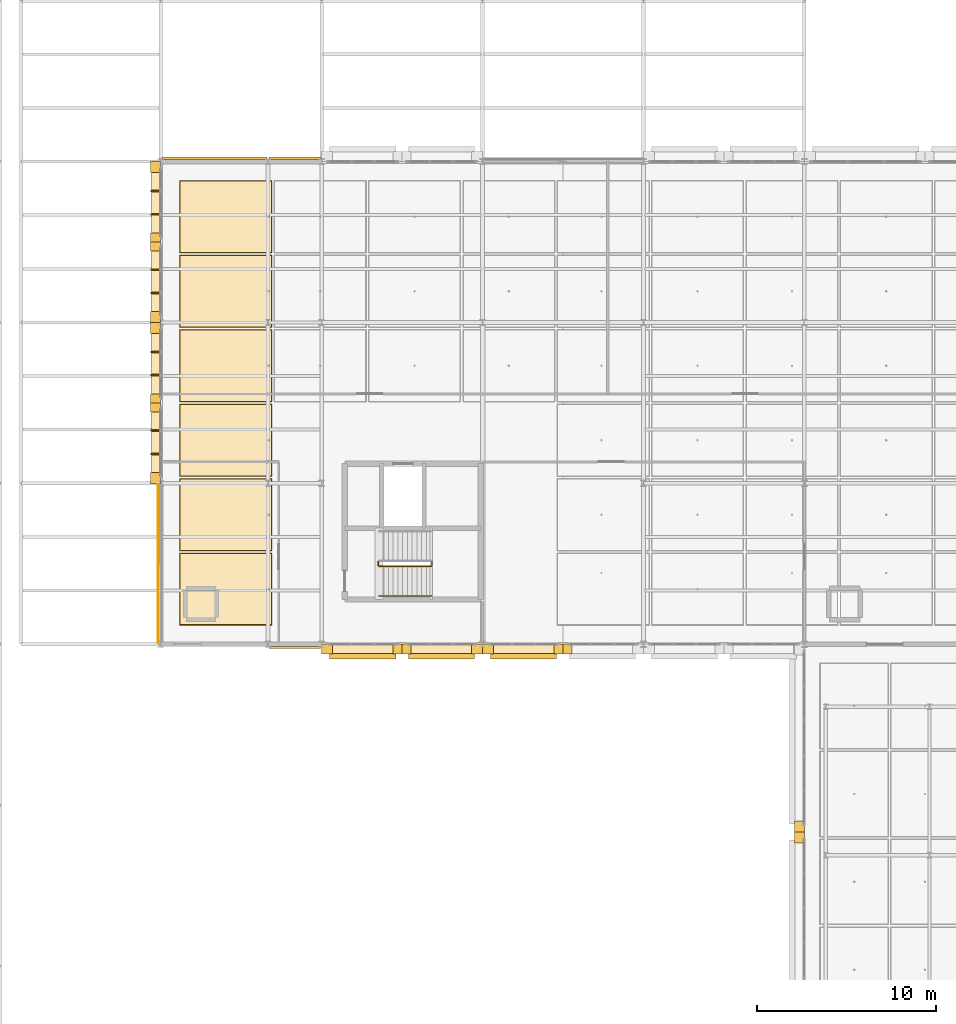
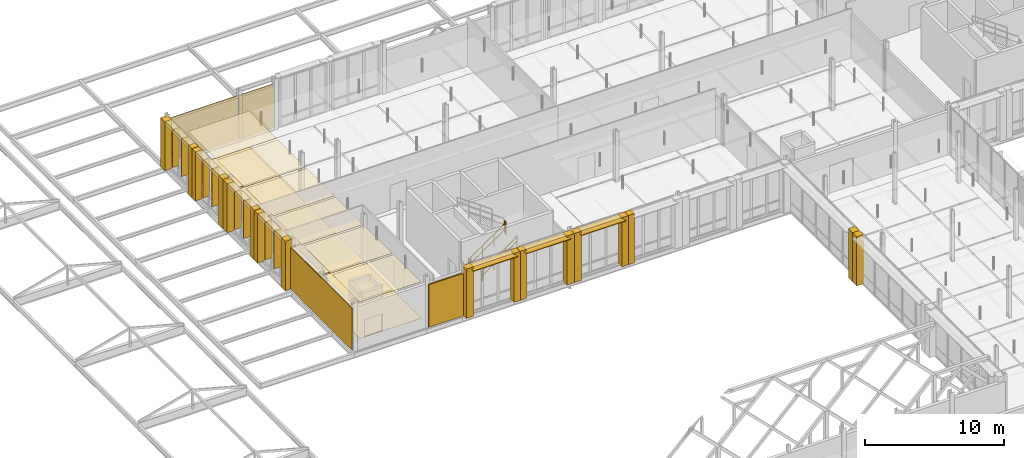
# One storey, part 134 of 140: 40 coverings, 11 shading devices, 4 railings.
"""IFC4 building model written with IfcOpenShell, lengths in metres."""

from ifc_helpers import new_model, si_unit, direction, frame, origin, origin_2d, place, context, subcontext, project, spatial, rectangle, circle, extrude, material, layer, layer_set, type_object, element, save


model = new_model("IFC4")

# Units and contexts
model_context = context("Model", 3, precision=1e-05, world=origin(), true_north=direction((0.0, 1.0)))
body_context = subcontext(model_context, "Body", "Model", "MODEL_VIEW")
ifc_project = project(units=[si_unit("LENGTHUNIT", "METRE"), si_unit("AREAUNIT", "SQUARE_METRE"), si_unit("VOLUMEUNIT", "CUBIC_METRE"), si_unit("PLANEANGLEUNIT", "RADIAN"), si_unit("MASSUNIT", "GRAM", prefix="KILO"), si_unit("THERMODYNAMICTEMPERATUREUNIT", "KELVIN"), si_unit("POWERUNIT", "WATT")], contexts=[model_context])

# Site, building, storey
site_placement = place(None, origin())
site = spatial("IfcSite", under=ifc_project, at=site_placement, CompositionType="ELEMENT")
building_placement = place(site_placement, origin())
building = spatial("IfcBuilding", under=site, at=building_placement, Name="Tallowbark Science Centre", CompositionType="ELEMENT")
storey_placement = place(building_placement, frame((0.0, 0.0, 9.89990234375)))
storey = spatial("IfcBuildingStorey", under=building, at=storey_placement, Name="L02", CompositionType="ELEMENT", Elevation=9.89990234375)

# Coverings
ifc_material_1 = material(Name="Cleanable Vinyl-Faced Laboratory Ceiling Tile")
ifc_layer_1 = layer(ifc_material_1, 0.01611328125)
ifc_layer_set_1 = layer_set([ifc_layer_1], Name="Cleanable Vinyl-Faced Laboratory Ceiling Tile")
covering_type_1 = type_object("IfcCoveringType", Name="CLG-LAB-16", PredefinedType="CEILING", material=ifc_layer_set_1)
for number, where, z_axis, x_axis, name in (
    (1, (66.638916015625, 75.083251953125, 3.192138671875), (0.0, 0.0, 1.0), (1.0, 0.0, 0.0), "Suspended Ceiling L02-866"),
    (2, (66.638916015625, 79.25, 3.192138671875), (0.0, 0.0, 1.0), (1.0, 0.0, 0.0), "Suspended Ceiling L02-867"),
    (3, (66.638916015625, 83.416748046875, 3.192138671875), (0.0, 0.0, 1.0), (1.0, 0.0, 0.0), "Suspended Ceiling L02-868"),
    (4, (66.638916015625, 87.583251953125, 3.192138671875), (0.0, 0.0, 1.0), (1.0, 0.0, 0.0), "Suspended Ceiling L02-869"),
    (5, (66.638916015625, 91.75, 3.192138671875), (0.0, 0.0, 1.0), (1.0, 0.0, 0.0), "Suspended Ceiling L02-870"),
    (6, (66.638916015625, 95.916748046875, 3.192138671875), (0.0, 0.0, 1.0), (1.0, 0.0, 0.0), "Suspended Ceiling L02-871"),
):
    element("IfcCovering", number, at=place(storey_placement, frame(where, z_axis=z_axis, x_axis=x_axis)), inside=storey, type_object=covering_type_1, Name=name, PredefinedType="CEILING", context=body_context, shape_type="SweptSolid", body=[
        extrude(rectangle(XDim=5.097900390625, YDim=3.98681640625, at=origin_2d()), origin(), (0.0, 0.0, 1.0), 0.01611328125),
    ])
ifc_material_2 = material(Name="White Architectural Precast Concrete Grade N40 (40 MPa)", Category="concrete")
ifc_layer_2 = layer(ifc_material_2, 0.1201171875)
ifc_layer_set_2 = layer_set([ifc_layer_2], Name="White Architectural Precast Concrete Grade N40 (40 MPa)")
covering_type_2 = type_object("IfcCoveringType", Name="COV-PRC-CLAD", PredefinedType="CLADDING", material=ifc_layer_set_2)
for number, where, z_axis, x_axis, name in (
    (7, (98.719970703125, 61.195068359375, 0.0), (0.0, 0.0, 1.0), (0.0, -1.0, 0.0), "Postmodern Deep Precast Pier CW-L02-018-1"),
    (8, (98.719970703125, 61.804931640625, 0.0), (0.0, 0.0, 1.0), (0.0, -1.0, 0.0), "Postmodern Deep Precast Pier CW-L02-020-2"),
):
    element("IfcCovering", number, at=place(storey_placement, frame(where, z_axis=z_axis, x_axis=x_axis)), inside=storey, type_object=covering_type_2, Name=name, PredefinedType="CLADDING", context=body_context, shape_type="SweptSolid", body=[
        extrude(rectangle(XDim=0.610107421875, YDim=0.56005859375, at=origin_2d()), origin(), (0.0, 0.0, 1.0), 4.320068359375),
    ])
covering_1_placement = place(storey_placement, frame((70.5, 71.81494140625, 0.050048828125), z_axis=(0.0, 0.0, 1.0), x_axis=(1.0, 0.0, 0.0)))
element("IfcCovering", 9, at=covering_1_placement, inside=storey, type_object=covering_type_2, Name="Architectural Rainscreen LAB-S-L02-69", PredefinedType="CLADDING", context=body_context, shape_type="SweptSolid", body=[
    extrude(rectangle(XDim=2.8798828125, YDim=0.1201171875, at=origin_2d()), origin(), (0.0, 0.0, 1.0), 3.74609375),
])
covering_2_placement = place(storey_placement, frame((72.304931640625, 71.719970703125, 0.0), z_axis=(0.0, 0.0, 1.0), x_axis=(1.0, 0.0, 0.0)))
element("IfcCovering", 10, at=covering_2_placement, inside=storey, type_object=covering_type_2, Name="Postmodern Deep Precast Pier CW-L02-060-1", PredefinedType="CLADDING", context=body_context, shape_type="SweptSolid", body=[
    extrude(rectangle(XDim=0.610107421875, YDim=0.56005859375, at=origin_2d()), origin(), (0.0, 0.0, 1.0), 4.320068359375),
])
for number, where, z_axis, x_axis, name in (
    (11, (76.2451171875, 71.719970703125, 0.0), (0.0, 0.0, 1.0), (1.0, 0.0, 0.0), "Postmodern Deep Precast Pier CW-L02-060-2"),
    (12, (76.7548828125, 71.719970703125, 0.0), (0.0, 0.0, 1.0), (1.0, 0.0, 0.0), "Postmodern Deep Precast Pier CW-L02-061-1"),
):
    element("IfcCovering", number, at=place(storey_placement, frame(where, z_axis=z_axis, x_axis=x_axis)), inside=storey, type_object=covering_type_2, Name=name, PredefinedType="CLADDING", context=body_context, shape_type="SweptSolid", body=[
        extrude(rectangle(XDim=0.510009765625, YDim=0.56005859375, at=origin_2d()), origin(), (0.0, 0.0, 1.0), 4.320068359375),
    ])
for number, where, z_axis, x_axis, name in (
    (13, (80.695068359375, 71.719970703125, 0.0), (0.0, 0.0, 1.0), (1.0, 0.0, 0.0), "Postmodern Deep Precast Pier CW-L02-061-2"),
    (14, (81.304931640625, 71.719970703125, 0.0), (0.0, 0.0, 1.0), (1.0, 0.0, 0.0), "Postmodern Deep Precast Pier CW-L02-062-1"),
):
    element("IfcCovering", number, at=place(storey_placement, frame(where, z_axis=z_axis, x_axis=x_axis)), inside=storey, type_object=covering_type_2, Name=name, PredefinedType="CLADDING", context=body_context, shape_type="SweptSolid", body=[
        extrude(rectangle(XDim=0.610107421875, YDim=0.56005859375, at=origin_2d()), origin(), (0.0, 0.0, 1.0), 4.320068359375),
    ])
for number, where, z_axis, x_axis, name in (
    (15, (85.2451171875, 71.719970703125, 0.0), (0.0, 0.0, 1.0), (1.0, 0.0, 0.0), "Postmodern Deep Precast Pier CW-L02-062-2"),
    (16, (85.7548828125, 71.719970703125, 0.0), (0.0, 0.0, 1.0), (1.0, 0.0, 0.0), "Postmodern Deep Precast Pier CW-L02-063-1"),
):
    element("IfcCovering", number, at=place(storey_placement, frame(where, z_axis=z_axis, x_axis=x_axis)), inside=storey, type_object=covering_type_2, Name=name, PredefinedType="CLADDING", context=body_context, shape_type="SweptSolid", body=[
        extrude(rectangle(XDim=0.510009765625, YDim=0.56005859375, at=origin_2d()), origin(), (0.0, 0.0, 1.0), 4.320068359375),
    ])
covering_3_placement = place(storey_placement, frame((62.719970703125, 89.695068359375, 0.0), z_axis=(0.0, 0.0, 1.0), x_axis=(0.0, -1.0, 0.0)))
element("IfcCovering", 17, at=covering_3_placement, inside=storey, type_object=covering_type_2, Name="Postmodern Deep Precast Pier CW-L02-066-1", PredefinedType="CLADDING", context=body_context, shape_type="SweptSolid", body=[
    extrude(rectangle(XDim=0.610107421875, YDim=0.56005859375, at=origin_2d()), origin(), (0.0, 0.0, 1.0), 4.320068359375),
])
for number, where, z_axis, x_axis, name in (
    (18, (62.719970703125, 85.7548828125, 0.0), (0.0, 0.0, 1.0), (0.0, -1.0, 0.0), "Postmodern Deep Precast Pier CW-L02-066-2"),
    (19, (62.719970703125, 85.2451171875, 0.0), (0.0, 0.0, 1.0), (0.0, -1.0, 0.0), "Postmodern Deep Precast Pier CW-L02-067-1"),
):
    element("IfcCovering", number, at=place(storey_placement, frame(where, z_axis=z_axis, x_axis=x_axis)), inside=storey, type_object=covering_type_2, Name=name, PredefinedType="CLADDING", context=body_context, shape_type="SweptSolid", body=[
        extrude(rectangle(XDim=0.510009765625, YDim=0.56005859375, at=origin_2d()), origin(), (0.0, 0.0, 1.0), 4.320068359375),
    ])
for number, where, z_axis, x_axis, name in (
    (20, (62.719970703125, 81.304931640625, 0.0), (0.0, 0.0, 1.0), (0.0, -1.0, 0.0), "Postmodern Deep Precast Pier CW-L02-067-2"),
    (21, (62.719970703125, 98.695068359375, 0.0), (0.0, 0.0, 1.0), (0.0, -1.0, 0.0), "Postmodern Deep Precast Pier CW-L02-068-1"),
):
    element("IfcCovering", number, at=place(storey_placement, frame(where, z_axis=z_axis, x_axis=x_axis)), inside=storey, type_object=covering_type_2, Name=name, PredefinedType="CLADDING", context=body_context, shape_type="SweptSolid", body=[
        extrude(rectangle(XDim=0.610107421875, YDim=0.56005859375, at=origin_2d()), origin(), (0.0, 0.0, 1.0), 4.320068359375),
    ])
for number, where, z_axis, x_axis, name in (
    (22, (62.719970703125, 94.7548828125, 0.0), (0.0, 0.0, 1.0), (0.0, -1.0, 0.0), "Postmodern Deep Precast Pier CW-L02-068-2"),
    (23, (62.719970703125, 94.2451171875, 0.0), (0.0, 0.0, 1.0), (0.0, -1.0, 0.0), "Postmodern Deep Precast Pier CW-L02-069-1"),
):
    element("IfcCovering", number, at=place(storey_placement, frame(where, z_axis=z_axis, x_axis=x_axis)), inside=storey, type_object=covering_type_2, Name=name, PredefinedType="CLADDING", context=body_context, shape_type="SweptSolid", body=[
        extrude(rectangle(XDim=0.510009765625, YDim=0.56005859375, at=origin_2d()), origin(), (0.0, 0.0, 1.0), 4.320068359375),
    ])
covering_4_placement = place(storey_placement, frame((62.719970703125, 90.304931640625, 0.0), z_axis=(0.0, 0.0, 1.0), x_axis=(0.0, -1.0, 0.0)))
element("IfcCovering", 24, at=covering_4_placement, inside=storey, type_object=covering_type_2, Name="Postmodern Deep Precast Pier CW-L02-069-2", PredefinedType="CLADDING", context=body_context, shape_type="SweptSolid", body=[
    extrude(rectangle(XDim=0.610107421875, YDim=0.56005859375, at=origin_2d()), origin(), (0.0, 0.0, 1.0), 4.320068359375),
])
covering_5_placement = place(storey_placement, frame((66.0, 99.18505859375, 0.0498046875), z_axis=(0.0, 0.0, 1.0), x_axis=(-1.0, 0.0, 0.0)))
element("IfcCovering", 25, at=covering_5_placement, inside=storey, type_object=covering_type_2, Name="Architectural Rainscreen LAB-N-L02-63", PredefinedType="CLADDING", context=body_context, shape_type="SweptSolid", body=[
    extrude(rectangle(XDim=5.8798828125, YDim=0.1201171875, at=origin_2d()), origin(), (0.0, 0.0, 1.0), 3.793701171875),
])
covering_6_placement = place(storey_placement, frame((70.5, 99.18505859375, 0.0498046875), z_axis=(0.0, 0.0, 1.0), x_axis=(-1.0, 0.0, 0.0)))
element("IfcCovering", 26, at=covering_6_placement, inside=storey, type_object=covering_type_2, Name="Architectural Rainscreen LAB-N-L02-69", PredefinedType="CLADDING", context=body_context, shape_type="SweptSolid", body=[
    extrude(rectangle(XDim=2.8798828125, YDim=0.1201171875, at=origin_2d()), origin(), (0.0, 0.0, 1.0), 3.793701171875),
])
ifc_material_3 = material(Name="Vitrified Ochre Terracotta Architectural Rainscreen", Category="masonry")
ifc_layer_3 = layer(ifc_material_3, 0.0380859375)
ifc_layer_set_3 = layer_set([ifc_layer_3], Name="Vitrified Ochre Terracotta Architectural Rainscreen")
covering_type_3 = type_object("IfcCoveringType", Name="COV-TER-CLAD", PredefinedType="CLADDING", material=ifc_layer_set_3)
for number, where, z_axis, x_axis, name in (
    (27, (74.300048828125, 71.739990234375, 3.97021484375), (0.0, 0.0, 1.0), (1.0, 0.0, 0.0), "Postmodern Terracotta Cornice Band CW-L02-060"),
    (28, (78.699951171875, 71.739990234375, 3.97021484375), (0.0, 0.0, 1.0), (1.0, 0.0, 0.0), "Postmodern Terracotta Cornice Band CW-L02-061"),
    (29, (83.300048828125, 71.739990234375, 3.97021484375), (0.0, 0.0, 1.0), (1.0, 0.0, 0.0), "Postmodern Terracotta Cornice Band CW-L02-062"),
):
    element("IfcCovering", number, at=place(storey_placement, frame(where, z_axis=z_axis, x_axis=x_axis)), inside=storey, type_object=covering_type_3, Name=name, PredefinedType="CLADDING", context=body_context, shape_type="SweptSolid", body=[
        extrude(rectangle(XDim=4.300048828125, YDim=0.52001953125, at=origin_2d()), origin(), (0.0, 0.0, 1.0), 0.340087890625),
    ])
covering_7_placement = place(storey_placement, frame((62.85595703125, 76.5, 0.050048828125), z_axis=(0.0, 0.0, 1.0), x_axis=(0.0, -1.0, 0.0)))
element("IfcCovering", 30, at=covering_7_placement, inside=storey, type_object=covering_type_3, Name="Architectural Rainscreen LAB-W-L02-72", PredefinedType="CLADDING", context=body_context, shape_type="SweptSolid", body=[
    extrude(rectangle(XDim=8.8798828125, YDim=0.0380859375, at=origin_2d()), origin(), (0.0, 0.0, 1.0), 3.671875),
])
for number, where, z_axis, x_axis, name in (
    (31, (62.739990234375, 87.699951171875, 3.97021484375), (0.0, 0.0, 1.0), (0.0, -1.0, 0.0), "Postmodern Terracotta Cornice Band CW-L02-066"),
    (32, (62.739990234375, 83.300048828125, 3.97021484375), (0.0, 0.0, 1.0), (0.0, -1.0, 0.0), "Postmodern Terracotta Cornice Band CW-L02-067"),
    (33, (62.739990234375, 96.699951171875, 3.97021484375), (0.0, 0.0, 1.0), (0.0, -1.0, 0.0), "Postmodern Terracotta Cornice Band CW-L02-068"),
    (34, (62.739990234375, 92.300048828125, 3.97021484375), (0.0, 0.0, 1.0), (0.0, -1.0, 0.0), "Postmodern Terracotta Cornice Band CW-L02-069"),
):
    element("IfcCovering", number, at=place(storey_placement, frame(where, z_axis=z_axis, x_axis=x_axis)), inside=storey, type_object=covering_type_3, Name=name, PredefinedType="CLADDING", context=body_context, shape_type="SweptSolid", body=[
        extrude(rectangle(XDim=4.300048828125, YDim=0.52001953125, at=origin_2d()), origin(), (0.0, 0.0, 1.0), 0.340087890625),
    ])
ifc_material_4 = material(Name="Chemical-Resistant Seamless Laboratory Vinyl")
ifc_layer_4 = layer(ifc_material_4, 0.011962890625)
ifc_layer_set_4 = layer_set([ifc_layer_4], Name="Chemical-Resistant Seamless Laboratory Vinyl")
covering_type_4 = type_object("IfcCoveringType", Name="FLR-VIN-12", PredefinedType="FLOORING", material=ifc_layer_set_4)
for number, where, z_axis, x_axis, name in (
    (35, (66.638916015625, 75.083251953125, 0.0), (0.0, 0.0, 1.0), (1.0, 0.0, 0.0), "Floor Finish L02-866"),
    (36, (66.638916015625, 79.25, 0.0), (0.0, 0.0, 1.0), (1.0, 0.0, 0.0), "Floor Finish L02-867"),
    (37, (66.638916015625, 83.416748046875, 0.0), (0.0, 0.0, 1.0), (1.0, 0.0, 0.0), "Floor Finish L02-868"),
    (38, (66.638916015625, 87.583251953125, 0.0), (0.0, 0.0, 1.0), (1.0, 0.0, 0.0), "Floor Finish L02-869"),
    (39, (66.638916015625, 91.75, 0.0), (0.0, 0.0, 1.0), (1.0, 0.0, 0.0), "Floor Finish L02-870"),
    (40, (66.638916015625, 95.916748046875, 0.0), (0.0, 0.0, 1.0), (1.0, 0.0, 0.0), "Floor Finish L02-871"),
):
    element("IfcCovering", number, at=place(storey_placement, frame(where, z_axis=z_axis, x_axis=x_axis)), inside=storey, type_object=covering_type_4, Name=name, PredefinedType="FLOORING", context=body_context, shape_type="SweptSolid", body=[
        extrude(rectangle(XDim=5.15771484375, YDim=4.046630859375, at=origin_2d()), origin(), (0.0, 0.0, 1.0), 0.011962890625),
    ])

# Railings
ifc_material_5 = material(Name="Galvanised Painted Steel and Laminated Glass Balustrade", Category="steel")
ifc_layer_5 = layer(ifc_material_5, 0.070068359375)
ifc_layer_set_5 = layer_set([ifc_layer_5], Name="Galvanised Painted Steel and Laminated Glass Balustrade")
railing_type_1 = type_object("IfcRailingType", Name="RLG-BAL-1150", PredefinedType="BALUSTRADE", material=ifc_layer_set_5)
railing_1_placement = place(storey_placement, frame((75.2099609375, 76.360107421875, 0.1875)))
element("IfcRailing", 41, at=railing_1_placement, inside=storey, type_object=railing_type_1, Name="L02 ST-01 stair guard 1", PredefinedType="BALUSTRADE", context=body_context, shape_type="SweptSolid", body=[
    extrude(circle(Radius=0.02392578125, at=origin_2d()), frame((0.0, 0.0, 1.076171875), z_axis=(0.816330724661, 0.0, 0.577584753931), x_axis=(0.0, 1.0, 0.0)), (0.0, 0.0, 1.0), 3.57080078125),
    extrude(circle(Radius=0.02392578125, at=origin_2d()), frame((0.0, 0.0, 0.550048828125), z_axis=(0.816330724661, 0.0, 0.577584753931), x_axis=(0.0, 1.0, 0.0)), (0.0, 0.0, 1.0), 3.57080078125),
    extrude(circle(Radius=0.02099609375, at=origin_2d()), origin(), (0.0, 0.0, 1.0), 1.052001953125),
    extrude(circle(Radius=0.02099609375, at=origin_2d()), frame((0.9716796875, 0.0, 0.6875)), (0.0, 0.0, 1.0), 1.052001953125),
    extrude(circle(Radius=0.02099609375, at=origin_2d()), frame((1.943359375, 0.0, 1.375)), (0.0, 0.0, 1.0), 1.052001953125),
    extrude(circle(Radius=0.02099609375, at=origin_2d()), frame((2.9150390625, 0.0, 2.0625)), (0.0, 0.0, 1.0), 1.052001953125),
])
for number, where, name in (
    (42, (78.175048828125, 76.409912109375, 2.25), "L02 ST-01 stair guard 2"),
    (43, (75.159912109375, 76.409912109375, 0.0), "L02 ST-01 stair guard 4"),
):
    element("IfcRailing", number, at=place(storey_placement, frame(where)), inside=storey, type_object=railing_type_1, Name=name, PredefinedType="BALUSTRADE", context=body_context, shape_type="SweptSolid", body=[
        extrude(circle(Radius=0.02392578125, at=origin_2d()), frame((0.0, 0.0, 1.076171875), z_axis=(0.0, 1.0, 0.0), x_axis=(-1.0, 0.0, 0.0)), (0.0, 0.0, 1.0), 0.2001953125),
        extrude(circle(Radius=0.02392578125, at=origin_2d()), frame((0.0, 0.0, 0.550048828125), z_axis=(0.0, 1.0, 0.0), x_axis=(-1.0, 0.0, 0.0)), (0.0, 0.0, 1.0), 0.2001953125),
        extrude(circle(Radius=0.02099609375, at=origin_2d()), origin(), (0.0, 0.0, 1.0), 1.052001953125),
        extrude(circle(Radius=0.02099609375, at=origin_2d()), frame((0.0, 0.2001953125, 0.0)), (0.0, 0.0, 1.0), 1.052001953125),
    ])
ifc_material_6 = material(Name="Brushed Grade 316 Stainless Steel Handrail", Category="steel")
ifc_layer_6 = layer(ifc_material_6, 0.050048828125)
ifc_layer_set_6 = layer_set([ifc_layer_6], Name="Brushed Grade 316 Stainless Steel Handrail")
railing_type_2 = type_object("IfcRailingType", Name="RLG-HDR-950", PredefinedType="HANDRAIL", material=ifc_layer_set_6)
railing_2_placement = place(storey_placement, frame((75.2099609375, 74.699951171875, 0.1875)))
element("IfcRailing", 44, at=railing_2_placement, inside=storey, type_object=railing_type_2, Name="L02 ST-01 stair handrail 1", PredefinedType="HANDRAIL", context=body_context, shape_type="SweptSolid", body=[
    extrude(circle(Radius=0.02392578125, at=origin_2d()), frame((0.0, 0.0, 0.8759765625), z_axis=(0.816330724661, 0.0, 0.577584753931), x_axis=(0.0, 1.0, 0.0)), (0.0, 0.0, 1.0), 3.57080078125),
    extrude(circle(Radius=0.02392578125, at=origin_2d()), frame((0.0, 0.0, 0.449951171875), z_axis=(0.816330724661, 0.0, 0.577584753931), x_axis=(0.0, 1.0, 0.0)), (0.0, 0.0, 1.0), 3.57080078125),
    extrude(circle(Radius=0.02099609375, at=origin_2d()), origin(), (0.0, 0.0, 1.0), 0.851806640625),
    extrude(circle(Radius=0.02099609375, at=origin_2d()), frame((0.9716796875, 0.0, 0.6875)), (0.0, 0.0, 1.0), 0.851806640625),
    extrude(circle(Radius=0.02099609375, at=origin_2d()), frame((1.943359375, 0.0, 1.375)), (0.0, 0.0, 1.0), 0.851806640625),
    extrude(circle(Radius=0.02099609375, at=origin_2d()), frame((2.9150390625, 0.0, 2.0625)), (0.0, 0.0, 1.0), 0.851806640625),
])

# Shading devices
ifc_material_7 = material(Name="Sandstone-Finished Architectural Aluminium Solar Fin", Category="masonry")
shading_device_type_1 = type_object("IfcShadingDeviceType", Name="SHD-FIN-400", PredefinedType="JALOUSIE", material=ifc_material_7)
for number, where, z_axis, x_axis, name in (
    (45, (62.719970703125, 88.35009765625, 0.92529296875), (0.0, 0.0, 1.0), (0.0, -1.0, 0.0), "Vertical Solar Fin CW-L02-066-1"),
    (46, (62.719970703125, 87.050048828125, 0.92529296875), (0.0, 0.0, 1.0), (0.0, -1.0, 0.0), "Vertical Solar Fin CW-L02-066-2"),
    (47, (62.719970703125, 83.949951171875, 0.92529296875), (0.0, 0.0, 1.0), (0.0, -1.0, 0.0), "Vertical Solar Fin CW-L02-067-1"),
    (48, (62.719970703125, 82.64990234375, 0.92529296875), (0.0, 0.0, 1.0), (0.0, -1.0, 0.0), "Vertical Solar Fin CW-L02-067-2"),
    (49, (62.719970703125, 97.35009765625, 0.92529296875), (0.0, 0.0, 1.0), (0.0, -1.0, 0.0), "Vertical Solar Fin CW-L02-068-1"),
    (50, (62.719970703125, 96.050048828125, 0.92529296875), (0.0, 0.0, 1.0), (0.0, -1.0, 0.0), "Vertical Solar Fin CW-L02-068-2"),
    (51, (62.719970703125, 92.949951171875, 0.92529296875), (0.0, 0.0, 1.0), (0.0, -1.0, 0.0), "Vertical Solar Fin CW-L02-069-1"),
    (52, (62.719970703125, 91.64990234375, 0.92529296875), (0.0, 0.0, 1.0), (0.0, -1.0, 0.0), "Vertical Solar Fin CW-L02-069-2"),
):
    element("IfcShadingDevice", number, at=place(storey_placement, frame(where, z_axis=z_axis, x_axis=x_axis)), inside=storey, type_object=shading_device_type_1, Name=name, PredefinedType="JALOUSIE", context=body_context, shape_type="SweptSolid", body=[
        extrude(rectangle(XDim=0.074951171875, YDim=0.550048828125, at=origin_2d()), origin(), (0.0, 0.0, 1.0), 3.320068359375),
    ])
ifc_material_8 = material(Name="Terracotta-Anodised Extruded Aluminium Sunshade Blade", Category="masonry")
ifc_layer_7 = layer(ifc_material_8, 0.054931640625)
ifc_layer_set_7 = layer_set([ifc_layer_7], Name="Terracotta-Anodised Extruded Aluminium Sunshade Blade")
shading_device_type_2 = type_object("IfcShadingDeviceType", Name="SHD-LVR-300", PredefinedType="AWNING", material=ifc_layer_set_7)
for number, where, z_axis, x_axis, name in (
    (53, (74.300048828125, 71.580078125, 4.1328125), (0.0, 0.0, 1.0), (1.0, 0.0, 0.0), "Horizontal Solar Louvre Hood CW-L02-060"),
    (54, (78.699951171875, 71.580078125, 4.1328125), (0.0, 0.0, 1.0), (1.0, 0.0, 0.0), "Horizontal Solar Louvre Hood CW-L02-061"),
    (55, (83.300048828125, 71.580078125, 4.1328125), (0.0, 0.0, 1.0), (1.0, 0.0, 0.0), "Horizontal Solar Louvre Hood CW-L02-062"),
):
    element("IfcShadingDevice", number, at=place(storey_placement, frame(where, z_axis=z_axis, x_axis=x_axis)), inside=storey, type_object=shading_device_type_2, Name=name, PredefinedType="AWNING", context=body_context, shape_type="SweptSolid", body=[
        extrude(rectangle(XDim=3.699951171875, YDim=0.840087890625, at=origin_2d()), origin(), (0.0, 0.0, 1.0), 0.054931640625),
    ])

save(model, "model.ifc")
